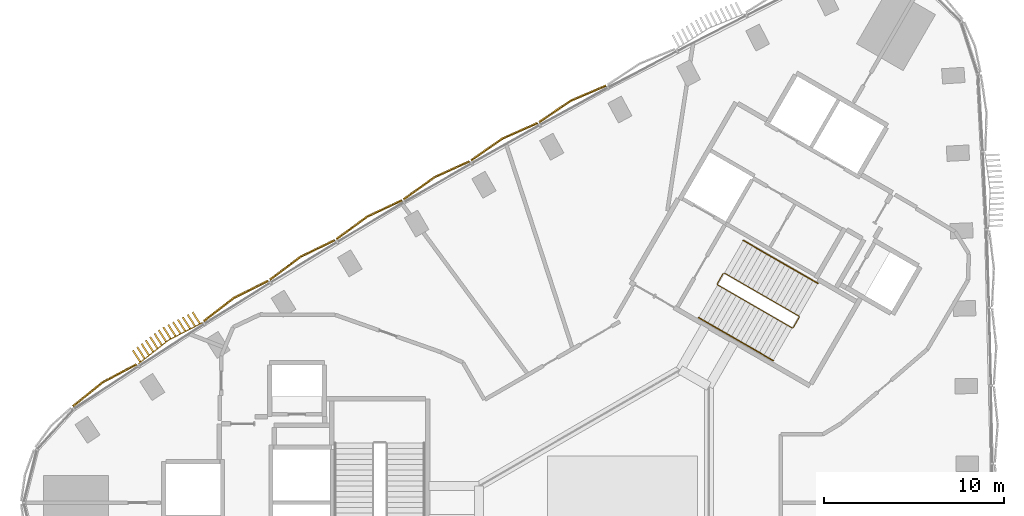
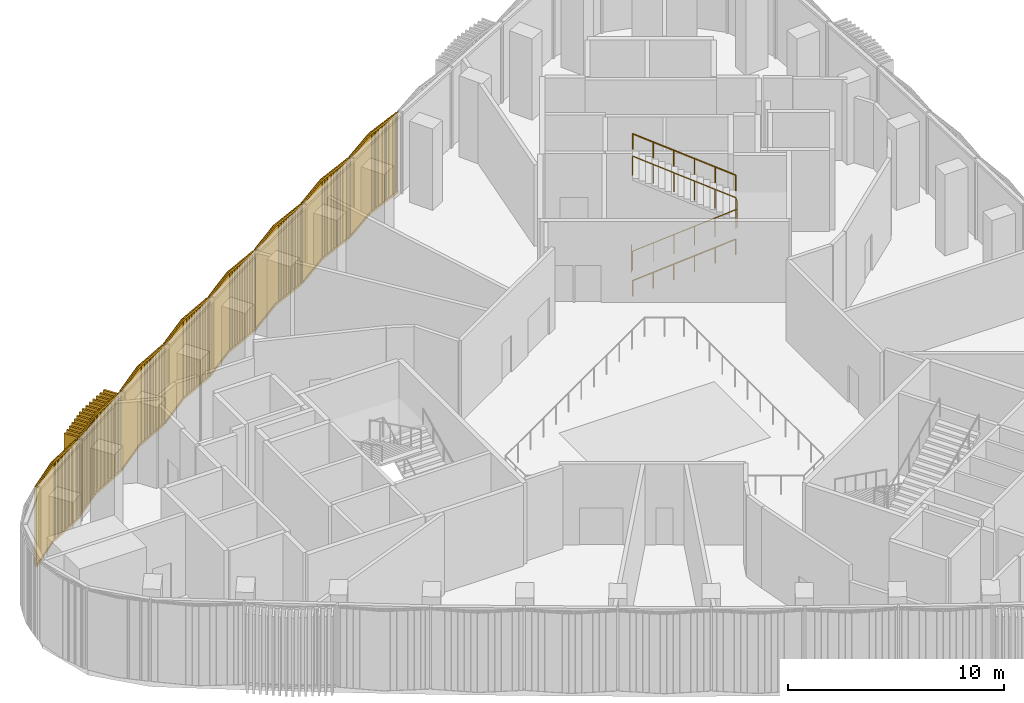
# One storey, part 15 of 17: 8 coverings, 3 railings.
"""IFC4 building model written with IfcOpenShell, lengths in metres."""

from ifc_helpers import new_model, si_unit, direction, frame, frame_2d, origin, origin_2d, place, context, subcontext, project, spatial, rectangle, circle, extrude, source, transform, mapped, material, type_object, element, save


model = new_model("IFC4")

# Units and contexts
model_context = context("Model", 3, precision=1e-05, world=origin(), true_north=direction((0.0, 1.0)))
body_context = subcontext(model_context, "Body", "Model", "MODEL_VIEW")
ifc_project = project(units=[si_unit("LENGTHUNIT", "METRE"), si_unit("AREAUNIT", "SQUARE_METRE"), si_unit("VOLUMEUNIT", "CUBIC_METRE"), si_unit("PLANEANGLEUNIT", "RADIAN"), si_unit("MASSUNIT", "GRAM", prefix="KILO")], contexts=[model_context])

# Site, building, storey
site_placement = place(None, origin())
site = spatial("IfcSite", under=ifc_project, at=site_placement, CompositionType="ELEMENT")
building_placement = place(site_placement, origin())
building = spatial("IfcBuilding", under=site, at=building_placement, Name="Tamra Quay Hotel Tower", CompositionType="ELEMENT")
storey_placement = place(building_placement, frame((0.0, 0.0, 123.800048828125)))
storey = spatial("IfcBuildingStorey", under=building, at=storey_placement, Name="L30", CompositionType="ELEMENT", Elevation=123.800048828125)

# Railings
ifc_material_1 = material(Name="Stair guard 1100")
railing_type_1 = type_object("IfcRailingType", Name="Stair guard 1100", PredefinedType="GUARDRAIL", material=ifc_material_1)
railing_1_placement = place(storey_placement, frame((5.595458984375, 12.751953125, 0.0)))
element("IfcRailing", 1, at=railing_1_placement, inside=storey, type_object=railing_type_1, Name="GR", PredefinedType="GUARDRAIL", context=body_context, shape_type="SweptSolid", body=[
    extrude(circle(Radius=0.02392578125, at=origin_2d()), frame((0.0, 0.0, 1.076171875), z_axis=(-0.499765215335, -0.866160914346, 0.0), x_axis=(0.866160914346, -0.499765215335, 0.0)), (0.0, 0.0, 1.0), 0.658935546875),
    extrude(circle(Radius=0.02392578125, at=origin_2d()), frame((-0.329345703125, -0.57080078125, 1.076171875), z_axis=(0.112320010996, -0.417830440903, 0.901555288257), x_axis=(0.965715946433, 0.259601060869, 0.0)), (0.0, 0.0, 1.0), 0.1630859375),
    extrude(circle(Radius=0.02392578125, at=origin_2d()), frame((-0.31103515625, -0.638916015625, 1.22314453125), z_axis=(0.777106586887, -0.448679454232, 0.441352580107), x_axis=(0.500014005679, 0.866017317451, 0.0)), (0.0, 0.0, 1.0), 5.331298828125),
    extrude(circle(Radius=0.02392578125, at=origin_2d()), frame((3.83203125, -3.031005859375, 3.576171875), z_axis=(0.965715946433, 0.259601060869, 0.0), x_axis=(-0.259601060869, 0.965715946433, 0.0)), (0.0, 0.0, 1.0), 0.070556640625),
    extrude(circle(Radius=0.02392578125, at=origin_2d()), frame((3.900146484375, -3.0126953125, 3.576171875), z_axis=(0.500043078269, 0.866000531106, 0.0), x_axis=(-0.866000531106, 0.500043078269, 0.0)), (0.0, 0.0, 1.0), 0.6591796875),
    extrude(circle(Radius=0.02392578125, at=origin_2d()), frame((4.229736328125, -2.44189453125, 3.576171875), z_axis=(-0.112320010996, 0.417830440903, 0.901555288257), x_axis=(-0.965715946433, -0.259601060869, 0.0)), (0.0, 0.0, 1.0), 0.1630859375),
    extrude(circle(Radius=0.02392578125, at=origin_2d()), frame((4.21142578125, -2.373779296875, 3.72314453125), z_axis=(-0.777106586887, 0.448679454232, 0.441352580107), x_axis=(-0.500014005679, -0.866017317451, 0.0)), (0.0, 0.0, 1.0), 5.331298828125),
    extrude(circle(Radius=0.02099609375, at=origin_2d()), origin(), (0.0, 0.0, 1.0), 1.052001953125),
    extrude(circle(Radius=0.02099609375, at=origin_2d()), frame((-0.329345703125, -0.57080078125, 0.0)), (0.0, 0.0, 1.0), 1.052001953125),
    extrude(circle(Radius=0.02099609375, at=origin_2d()), frame((-0.31103515625, -0.638916015625, 0.14697265625)), (0.0, 0.0, 1.0), 1.052001953125),
    extrude(circle(Radius=0.02099609375, at=origin_2d()), frame((0.517578125, -1.117431640625, 0.61767578125)), (0.0, 0.0, 1.0), 1.052001953125),
    extrude(circle(Radius=0.02099609375, at=origin_2d()), frame((1.34619140625, -1.595703125, 1.088134765625)), (0.0, 0.0, 1.0), 1.052001953125),
    extrude(circle(Radius=0.02099609375, at=origin_2d()), frame((2.1748046875, -2.07421875, 1.558837890625)), (0.0, 0.0, 1.0), 1.052001953125),
    extrude(circle(Radius=0.02099609375, at=origin_2d()), frame((3.00341796875, -2.552490234375, 2.029296875)), (0.0, 0.0, 1.0), 1.052001953125),
    extrude(circle(Radius=0.02099609375, at=origin_2d()), frame((3.83203125, -3.031005859375, 2.5)), (0.0, 0.0, 1.0), 1.052001953125),
    extrude(circle(Radius=0.02099609375, at=origin_2d()), frame((3.900146484375, -3.0126953125, 2.5)), (0.0, 0.0, 1.0), 1.052001953125),
    extrude(circle(Radius=0.02099609375, at=origin_2d()), frame((4.229736328125, -2.44189453125, 2.5)), (0.0, 0.0, 1.0), 1.052001953125),
    extrude(circle(Radius=0.02099609375, at=origin_2d()), frame((4.21142578125, -2.373779296875, 2.64697265625)), (0.0, 0.0, 1.0), 1.052001953125),
    extrude(circle(Radius=0.02099609375, at=origin_2d()), frame((3.3828125, -1.895263671875, 3.11767578125)), (0.0, 0.0, 1.0), 1.052001953125),
    extrude(circle(Radius=0.02099609375, at=origin_2d()), frame((2.55419921875, -1.4169921875, 3.588134765625)), (0.0, 0.0, 1.0), 1.052001953125),
    extrude(circle(Radius=0.02099609375, at=origin_2d()), frame((1.7255859375, -0.9384765625, 4.058837890625)), (0.0, 0.0, 1.0), 1.052001953125),
    extrude(circle(Radius=0.02099609375, at=origin_2d()), frame((0.89697265625, -0.460205078125, 4.529296875)), (0.0, 0.0, 1.0), 1.052001953125),
    extrude(circle(Radius=0.02099609375, at=origin_2d()), frame((0.068359375, 0.018310546875, 5.0)), (0.0, 0.0, 1.0), 1.052001953125),
])
ifc_material_2 = material(Name="Stair handrail 900")
railing_type_2 = type_object("IfcRailingType", Name="Stair handrail 900", PredefinedType="HANDRAIL", material=ifc_material_2)
railing_2_placement = place(storey_placement, frame((4.234375, 10.294189453125, 0.14697265625)))
element("IfcRailing", 2, at=railing_2_placement, inside=storey, type_object=railing_type_2, Name="HR", PredefinedType="HANDRAIL", context=body_context, shape_type="SweptSolid", body=[
    extrude(circle(Radius=0.02392578125, at=origin_2d()), frame((0.0, 0.0, 0.8759765625), z_axis=(0.777122553277, -0.448642878872, 0.441361648113), x_axis=(0.49997573074, 0.866039415195, 0.0)), (0.0, 0.0, 1.0), 5.331298828125),
    extrude(circle(Radius=0.02099609375, at=origin_2d()), origin(), (0.0, 0.0, 1.0), 0.851806640625),
    extrude(circle(Radius=0.02099609375, at=origin_2d()), frame((0.82861328125, -0.478271484375, 0.470703125)), (0.0, 0.0, 1.0), 0.851806640625),
    extrude(circle(Radius=0.02099609375, at=origin_2d()), frame((1.6572265625, -0.956787109375, 0.941162109375)), (0.0, 0.0, 1.0), 0.851806640625),
    extrude(circle(Radius=0.02099609375, at=origin_2d()), frame((2.48583984375, -1.43505859375, 1.411865234375)), (0.0, 0.0, 1.0), 0.851806640625),
    extrude(circle(Radius=0.02099609375, at=origin_2d()), frame((3.314453125, -1.91357421875, 1.88232421875)), (0.0, 0.0, 1.0), 0.851806640625),
    extrude(circle(Radius=0.02099609375, at=origin_2d()), frame((4.14306640625, -2.391845703125, 2.35302734375)), (0.0, 0.0, 1.0), 0.851806640625),
])
railing_3_placement = place(storey_placement, frame((10.85693359375, 12.197021484375, 2.64697265625)))
element("IfcRailing", 3, at=railing_3_placement, inside=storey, type_object=railing_type_2, Name="HR", PredefinedType="HANDRAIL", context=body_context, shape_type="SweptSolid", body=[
    extrude(circle(Radius=0.02392578125, at=origin_2d()), frame((0.0, 0.0, 0.8759765625), z_axis=(-0.777122553277, 0.448642878872, 0.441361648113), x_axis=(-0.49997573074, -0.866039415195, 0.0)), (0.0, 0.0, 1.0), 5.331298828125),
    extrude(circle(Radius=0.02099609375, at=origin_2d()), origin(), (0.0, 0.0, 1.0), 0.851806640625),
    extrude(circle(Radius=0.02099609375, at=origin_2d()), frame((-0.82861328125, 0.478271484375, 0.470703125)), (0.0, 0.0, 1.0), 0.851806640625),
    extrude(circle(Radius=0.02099609375, at=origin_2d()), frame((-1.6572265625, 0.956787109375, 0.941162109375)), (0.0, 0.0, 1.0), 0.851806640625),
    extrude(circle(Radius=0.02099609375, at=origin_2d()), frame((-2.48583984375, 1.43505859375, 1.411865234375)), (0.0, 0.0, 1.0), 0.851806640625),
    extrude(circle(Radius=0.02099609375, at=origin_2d()), frame((-3.314453125, 1.91357421875, 1.88232421875)), (0.0, 0.0, 1.0), 0.851806640625),
    extrude(circle(Radius=0.02099609375, at=origin_2d()), frame((-4.14306640625, 2.391845703125, 2.35302734375)), (0.0, 0.0, 1.0), 0.851806640625),
])

# Coverings
ifc_material_3 = material(Name="Terracotta baguette extruded", Category="masonry")
covering_type_1 = type_object("IfcCoveringType", Name="BAGUETTE SCREEN NW-SHALLOW H4600", PredefinedType="USERDEFINED", material=ifc_material_3)
shared_shape_1 = source(origin(), body_context, "Body", "SweptSolid", [
    extrude(rectangle(XDim=2.13232421875, YDim=0.06005859375, at=frame_2d((1.066162109375, 0.030029296875))), frame((-2.128173828125, -0.0576171875, -0.1201171875), z_axis=(0.0, 0.0, 1.0), x_axis=(0.995396198367, -0.09584575252, 0.0)), (0.0, 0.0, 1.0), 0.1201171875),
    extrude(rectangle(XDim=2.13232421875, YDim=0.06005859375, at=frame_2d((1.066162109375, 0.030029296875))), frame((-2.128173828125, -0.0576171875, -4.60009765625), z_axis=(0.0, 0.0, 1.0), x_axis=(0.995396198367, -0.09584575252, 0.0)), (0.0, 0.0, 1.0), 0.1201171875),
    extrude(rectangle(XDim=0.094970703125, YDim=0.10009765625, at=frame_2d((0.04736328125, 0.050048828125))), frame((-2.119384765625, -0.1328125, -4.5400390625)), (0.0, 0.0, 1.0), 4.47998046875),
    extrude(rectangle(XDim=0.094970703125, YDim=0.10009765625, at=frame_2d((0.04736328125, 0.050048828125))), frame((-2.018310546875, -0.142578125, -4.5400390625)), (0.0, 0.0, 1.0), 4.47998046875),
    extrude(rectangle(XDim=0.094970703125, YDim=0.10009765625, at=frame_2d((0.04736328125, 0.050048828125))), frame((-1.917236328125, -0.15234375, -4.5400390625)), (0.0, 0.0, 1.0), 4.47998046875),
    extrude(rectangle(XDim=0.094970703125, YDim=0.10009765625, at=frame_2d((0.04736328125, 0.050048828125))), frame((-1.816162109375, -0.162109375, -4.5400390625)), (0.0, 0.0, 1.0), 4.47998046875),
    extrude(rectangle(XDim=0.094970703125, YDim=0.10009765625, at=frame_2d((0.04736328125, 0.050048828125))), frame((-1.715087890625, -0.171875, -4.5400390625)), (0.0, 0.0, 1.0), 4.47998046875),
    extrude(rectangle(XDim=0.094970703125, YDim=0.10009765625, at=frame_2d((0.04736328125, 0.050048828125))), frame((-1.614013671875, -0.181640625, -4.5400390625)), (0.0, 0.0, 1.0), 4.47998046875),
    extrude(rectangle(XDim=0.094970703125, YDim=0.10009765625, at=frame_2d((0.04736328125, 0.050048828125))), frame((-1.512939453125, -0.191162109375, -4.5400390625)), (0.0, 0.0, 1.0), 4.47998046875),
    extrude(rectangle(XDim=0.094970703125, YDim=0.10009765625, at=frame_2d((0.04736328125, 0.050048828125))), frame((-1.411865234375, -0.200927734375, -4.5400390625)), (0.0, 0.0, 1.0), 4.47998046875),
    extrude(rectangle(XDim=0.094970703125, YDim=0.10009765625, at=frame_2d((0.04736328125, 0.050048828125))), frame((-1.310791015625, -0.210693359375, -4.5400390625)), (0.0, 0.0, 1.0), 4.47998046875),
    extrude(rectangle(XDim=0.094970703125, YDim=0.10009765625, at=frame_2d((0.04736328125, 0.050048828125))), frame((-1.209716796875, -0.220458984375, -4.5400390625)), (0.0, 0.0, 1.0), 4.47998046875),
    extrude(rectangle(XDim=0.094970703125, YDim=0.10009765625, at=frame_2d((0.04736328125, 0.050048828125))), frame((-1.108642578125, -0.230224609375, -4.5400390625)), (0.0, 0.0, 1.0), 4.47998046875),
    extrude(rectangle(XDim=0.094970703125, YDim=0.10009765625, at=frame_2d((0.04736328125, 0.050048828125))), frame((-1.007568359375, -0.239990234375, -4.5400390625)), (0.0, 0.0, 1.0), 4.47998046875),
    extrude(rectangle(XDim=0.094970703125, YDim=0.10009765625, at=frame_2d((0.04736328125, 0.050048828125))), frame((-0.906494140625, -0.249755859375, -4.5400390625)), (0.0, 0.0, 1.0), 4.47998046875),
    extrude(rectangle(XDim=0.094970703125, YDim=0.10009765625, at=frame_2d((0.04736328125, 0.050048828125))), frame((-0.805419921875, -0.25927734375, -4.5400390625)), (0.0, 0.0, 1.0), 4.47998046875),
    extrude(rectangle(XDim=0.094970703125, YDim=0.10009765625, at=frame_2d((0.04736328125, 0.050048828125))), frame((-0.704345703125, -0.26904296875, -4.5400390625)), (0.0, 0.0, 1.0), 4.47998046875),
    extrude(rectangle(XDim=0.094970703125, YDim=0.10009765625, at=frame_2d((0.04736328125, 0.050048828125))), frame((-0.603271484375, -0.27880859375, -4.5400390625)), (0.0, 0.0, 1.0), 4.47998046875),
    extrude(rectangle(XDim=0.094970703125, YDim=0.10009765625, at=frame_2d((0.04736328125, 0.050048828125))), frame((-0.50244140625, -0.28857421875, -4.5400390625)), (0.0, 0.0, 1.0), 4.47998046875),
    extrude(rectangle(XDim=0.094970703125, YDim=0.10009765625, at=frame_2d((0.04736328125, 0.050048828125))), frame((-0.4013671875, -0.29833984375, -4.5400390625)), (0.0, 0.0, 1.0), 4.47998046875),
    extrude(rectangle(XDim=0.094970703125, YDim=0.10009765625, at=frame_2d((0.04736328125, 0.050048828125))), frame((-0.30029296875, -0.30810546875, -4.5400390625)), (0.0, 0.0, 1.0), 4.47998046875),
    extrude(rectangle(XDim=0.094970703125, YDim=0.10009765625, at=frame_2d((0.04736328125, 0.050048828125))), frame((-0.19921875, -0.31787109375, -4.5400390625)), (0.0, 0.0, 1.0), 4.47998046875),
    extrude(rectangle(XDim=0.094970703125, YDim=0.10009765625, at=frame_2d((0.04736328125, 0.050048828125))), frame((-0.09814453125, -0.327392578125, -4.5400390625)), (0.0, 0.0, 1.0), 4.47998046875),
    extrude(rectangle(XDim=2.13232421875, YDim=0.06005859375, at=frame_2d((1.066162109375, 0.030029296875))), frame((0.005859375, -0.26220703125, -0.1201171875), z_axis=(0.0, 0.0, 1.0), x_axis=(0.995396198367, 0.09584575252, 0.0)), (0.0, 0.0, 1.0), 0.1201171875),
    extrude(rectangle(XDim=2.13232421875, YDim=0.06005859375, at=frame_2d((1.066162109375, 0.030029296875))), frame((0.005859375, -0.26220703125, -4.60009765625), z_axis=(0.0, 0.0, 1.0), x_axis=(0.995396198367, 0.09584575252, 0.0)), (0.0, 0.0, 1.0), 0.1201171875),
    extrude(rectangle(XDim=0.094970703125, YDim=0.10009765625, at=frame_2d((0.04736328125, 0.050048828125))), frame((0.0029296875, -0.327392578125, -4.5400390625)), (0.0, 0.0, 1.0), 4.47998046875),
    extrude(rectangle(XDim=0.094970703125, YDim=0.10009765625, at=frame_2d((0.04736328125, 0.050048828125))), frame((0.10400390625, -0.31787109375, -4.5400390625)), (0.0, 0.0, 1.0), 4.47998046875),
    extrude(rectangle(XDim=0.094970703125, YDim=0.10009765625, at=frame_2d((0.04736328125, 0.050048828125))), frame((0.205078125, -0.30810546875, -4.5400390625)), (0.0, 0.0, 1.0), 4.47998046875),
    extrude(rectangle(XDim=0.094970703125, YDim=0.10009765625, at=frame_2d((0.04736328125, 0.050048828125))), frame((0.30615234375, -0.29833984375, -4.5400390625)), (0.0, 0.0, 1.0), 4.47998046875),
    extrude(rectangle(XDim=0.094970703125, YDim=0.10009765625, at=frame_2d((0.04736328125, 0.050048828125))), frame((0.4072265625, -0.28857421875, -4.5400390625)), (0.0, 0.0, 1.0), 4.47998046875),
    extrude(rectangle(XDim=0.094970703125, YDim=0.10009765625, at=frame_2d((0.04736328125, 0.050048828125))), frame((0.50830078125, -0.27880859375, -4.5400390625)), (0.0, 0.0, 1.0), 4.47998046875),
    extrude(rectangle(XDim=0.094970703125, YDim=0.10009765625, at=frame_2d((0.04736328125, 0.050048828125))), frame((0.609375, -0.26904296875, -4.5400390625)), (0.0, 0.0, 1.0), 4.47998046875),
    extrude(rectangle(XDim=0.094970703125, YDim=0.10009765625, at=frame_2d((0.04736328125, 0.050048828125))), frame((0.71044921875, -0.25927734375, -4.5400390625)), (0.0, 0.0, 1.0), 4.47998046875),
    extrude(rectangle(XDim=0.094970703125, YDim=0.10009765625, at=frame_2d((0.04736328125, 0.050048828125))), frame((0.8115234375, -0.249755859375, -4.5400390625)), (0.0, 0.0, 1.0), 4.47998046875),
    extrude(rectangle(XDim=0.094970703125, YDim=0.10009765625, at=frame_2d((0.04736328125, 0.050048828125))), frame((0.91259765625, -0.239990234375, -4.5400390625)), (0.0, 0.0, 1.0), 4.47998046875),
    extrude(rectangle(XDim=0.094970703125, YDim=0.10009765625, at=frame_2d((0.04736328125, 0.050048828125))), frame((1.013671875, -0.230224609375, -4.5400390625)), (0.0, 0.0, 1.0), 4.47998046875),
    extrude(rectangle(XDim=0.094970703125, YDim=0.10009765625, at=frame_2d((0.04736328125, 0.050048828125))), frame((1.11474609375, -0.220458984375, -4.5400390625)), (0.0, 0.0, 1.0), 4.47998046875),
    extrude(rectangle(XDim=0.094970703125, YDim=0.10009765625, at=frame_2d((0.04736328125, 0.050048828125))), frame((1.2158203125, -0.210693359375, -4.5400390625)), (0.0, 0.0, 1.0), 4.47998046875),
    extrude(rectangle(XDim=0.094970703125, YDim=0.10009765625, at=frame_2d((0.04736328125, 0.050048828125))), frame((1.31689453125, -0.200927734375, -4.5400390625)), (0.0, 0.0, 1.0), 4.47998046875),
    extrude(rectangle(XDim=0.094970703125, YDim=0.10009765625, at=frame_2d((0.04736328125, 0.050048828125))), frame((1.41796875, -0.191162109375, -4.5400390625)), (0.0, 0.0, 1.0), 4.47998046875),
    extrude(rectangle(XDim=0.094970703125, YDim=0.10009765625, at=frame_2d((0.04736328125, 0.050048828125))), frame((1.51904296875, -0.181640625, -4.5400390625)), (0.0, 0.0, 1.0), 4.47998046875),
    extrude(rectangle(XDim=0.094970703125, YDim=0.10009765625, at=frame_2d((0.04736328125, 0.050048828125))), frame((1.6201171875, -0.171875, -4.5400390625)), (0.0, 0.0, 1.0), 4.47998046875),
    extrude(rectangle(XDim=0.094970703125, YDim=0.10009765625, at=frame_2d((0.04736328125, 0.050048828125))), frame((1.72119140625, -0.162109375, -4.5400390625)), (0.0, 0.0, 1.0), 4.47998046875),
    extrude(rectangle(XDim=0.094970703125, YDim=0.10009765625, at=frame_2d((0.04736328125, 0.050048828125))), frame((1.822265625, -0.15234375, -4.5400390625)), (0.0, 0.0, 1.0), 4.47998046875),
    extrude(rectangle(XDim=0.094970703125, YDim=0.10009765625, at=frame_2d((0.04736328125, 0.050048828125))), frame((1.92333984375, -0.142578125, -4.5400390625)), (0.0, 0.0, 1.0), 4.47998046875),
    extrude(rectangle(XDim=0.094970703125, YDim=0.10009765625, at=frame_2d((0.04736328125, 0.050048828125))), frame((2.0244140625, -0.1328125, -4.5400390625)), (0.0, 0.0, 1.0), 4.47998046875),
])
for number, where, z_axis, x_axis, name in (
    (4, (-2.753662109375, 22.127685546875, 4.599853515625), (0.0, 0.0, 1.0), (-0.877726251432, -0.47916242293, 0.0), "Baguette screen L30.NW.f03"),
    (5, (-6.55029296875, 20.025634765625, 4.599853515625), (0.0, 0.0, 1.0), (-0.871942034605, -0.489609117857, 0.0), "Baguette screen L30.NW.f04"),
    (6, (-10.32177734375, 17.8779296875, 4.599853515625), (0.0, 0.0, 1.0), (-0.866025403784, -0.5, 0.0), "Baguette screen L30.NW.f05"),
    (7, (-14.0673828125, 15.685546875, 4.599853515625), (0.0, 0.0, 1.0), (-0.859984951291, -0.510319393667, 0.0), "Baguette screen L30.NW.f06"),
    (8, (-17.786376953125, 13.448486328125, 4.599853515625), (0.0, 0.0, 1.0), (-0.853829956512, -0.520552019843, 0.0), "Baguette screen L30.NW.f07"),
    (9, (-21.478759765625, 11.1669921875, 4.599853515625), (0.0, 0.0, 1.0), (-0.847546482968, -0.530721168984, 0.0), "Baguette screen L30.NW.f08"),
    (10, (-28.77978515625, 6.473388671875, 4.599853515625), (0.0, 0.0, 1.0), (-0.83466272563, -0.550761413358, 0.0), "Baguette screen L30.NW.f10"),
):
    element("IfcCovering", number, at=place(storey_placement, frame(where, z_axis=z_axis, x_axis=x_axis)), inside=storey, type_object=covering_type_1, Name=name, ObjectType="BAGUETTE SCREEN", PredefinedType="USERDEFINED", context=body_context, shape_type="MappedRepresentation", body=[
        mapped(shared_shape_1, transform((0.0, 0.0, 0.0), scale=1.0)),
    ])
covering_type_2 = type_object("IfcCoveringType", Name="BAGUETTE SCREEN NW-DEEP H4600", PredefinedType="USERDEFINED", material=ifc_material_3)
shared_shape_2 = source(origin(), body_context, "Body", "SweptSolid", [
    extrude(rectangle(XDim=2.13232421875, YDim=0.06005859375, at=frame_2d((1.066162109375, 0.030029296875))), frame((-2.128173828125, -0.0576171875, -0.1201171875), z_axis=(0.0, 0.0, 1.0), x_axis=(0.995396198367, -0.09584575252, 0.0)), (0.0, 0.0, 1.0), 0.1201171875),
    extrude(rectangle(XDim=2.13232421875, YDim=0.06005859375, at=frame_2d((1.066162109375, 0.030029296875))), frame((-2.128173828125, -0.0576171875, -4.60009765625), z_axis=(0.0, 0.0, 1.0), x_axis=(0.995396198367, -0.09584575252, 0.0)), (0.0, 0.0, 1.0), 0.1201171875),
    extrude(rectangle(XDim=0.10009765625, YDim=0.780029296875, at=frame_2d((0.050048828125, 0.39013671875))), frame((-2.02099609375, -0.822509765625, -4.5400390625)), (0.0, 0.0, 1.0), 4.47998046875),
    extrude(rectangle(XDim=0.10009765625, YDim=0.780029296875, at=frame_2d((0.050048828125, 0.39013671875))), frame((-1.7177734375, -0.851806640625, -4.5400390625)), (0.0, 0.0, 1.0), 4.47998046875),
    extrude(rectangle(XDim=0.10009765625, YDim=0.780029296875, at=frame_2d((0.050048828125, 0.39013671875))), frame((-1.41455078125, -0.881103515625, -4.5400390625)), (0.0, 0.0, 1.0), 4.47998046875),
    extrude(rectangle(XDim=0.10009765625, YDim=0.780029296875, at=frame_2d((0.050048828125, 0.39013671875))), frame((-1.111328125, -0.91015625, -4.5400390625)), (0.0, 0.0, 1.0), 4.47998046875),
    extrude(rectangle(XDim=0.10009765625, YDim=0.780029296875, at=frame_2d((0.050048828125, 0.39013671875))), frame((-0.80810546875, -0.939453125, -4.5400390625)), (0.0, 0.0, 1.0), 4.47998046875),
    extrude(rectangle(XDim=0.10009765625, YDim=0.780029296875, at=frame_2d((0.050048828125, 0.39013671875))), frame((-0.5048828125, -0.968505859375, -4.5400390625)), (0.0, 0.0, 1.0), 4.47998046875),
    extrude(rectangle(XDim=0.10009765625, YDim=0.780029296875, at=frame_2d((0.050048828125, 0.39013671875))), frame((-0.20166015625, -0.997802734375, -4.5400390625)), (0.0, 0.0, 1.0), 4.47998046875),
    extrude(rectangle(XDim=2.13232421875, YDim=0.06005859375, at=frame_2d((1.066162109375, 0.030029296875))), frame((0.005859375, -0.26220703125, -0.1201171875), z_axis=(0.0, 0.0, 1.0), x_axis=(0.995396198367, 0.09584575252, 0.0)), (0.0, 0.0, 1.0), 0.1201171875),
    extrude(rectangle(XDim=2.13232421875, YDim=0.06005859375, at=frame_2d((1.066162109375, 0.030029296875))), frame((0.005859375, -0.26220703125, -4.60009765625), z_axis=(0.0, 0.0, 1.0), x_axis=(0.995396198367, 0.09584575252, 0.0)), (0.0, 0.0, 1.0), 0.1201171875),
    extrude(rectangle(XDim=0.10009765625, YDim=0.780029296875, at=frame_2d((0.050048828125, 0.39013671875))), frame((0.1015625, -0.997802734375, -4.5400390625)), (0.0, 0.0, 1.0), 4.47998046875),
    extrude(rectangle(XDim=0.10009765625, YDim=0.780029296875, at=frame_2d((0.050048828125, 0.39013671875))), frame((0.40478515625, -0.968505859375, -4.5400390625)), (0.0, 0.0, 1.0), 4.47998046875),
    extrude(rectangle(XDim=0.10009765625, YDim=0.780029296875, at=frame_2d((0.050048828125, 0.39013671875))), frame((0.7080078125, -0.939453125, -4.5400390625)), (0.0, 0.0, 1.0), 4.47998046875),
    extrude(rectangle(XDim=0.10009765625, YDim=0.780029296875, at=frame_2d((0.050048828125, 0.39013671875))), frame((1.01123046875, -0.91015625, -4.5400390625)), (0.0, 0.0, 1.0), 4.47998046875),
    extrude(rectangle(XDim=0.10009765625, YDim=0.780029296875, at=frame_2d((0.050048828125, 0.39013671875))), frame((1.314453125, -0.881103515625, -4.5400390625)), (0.0, 0.0, 1.0), 4.47998046875),
    extrude(rectangle(XDim=0.10009765625, YDim=0.780029296875, at=frame_2d((0.050048828125, 0.39013671875))), frame((1.61767578125, -0.851806640625, -4.5400390625)), (0.0, 0.0, 1.0), 4.47998046875),
    extrude(rectangle(XDim=0.10009765625, YDim=0.780029296875, at=frame_2d((0.050048828125, 0.39013671875))), frame((1.9208984375, -0.822509765625, -4.5400390625)), (0.0, 0.0, 1.0), 4.47998046875),
])
covering_placement = place(storey_placement, frame((-25.143310546875, 8.841796875, 4.599853515625), z_axis=(0.0, 0.0, 1.0), x_axis=(-0.84116417185, -0.540779840596, 0.0)))
element("IfcCovering", 11, at=covering_placement, inside=storey, type_object=covering_type_2, Name="Baguette screen L30.NW.f09", ObjectType="BAGUETTE SCREEN", PredefinedType="USERDEFINED", context=body_context, shape_type="MappedRepresentation", body=[
    mapped(shared_shape_2, transform((0.0, 0.0, 0.0), scale=1.0)),
])

save(model, "model.ifc")
